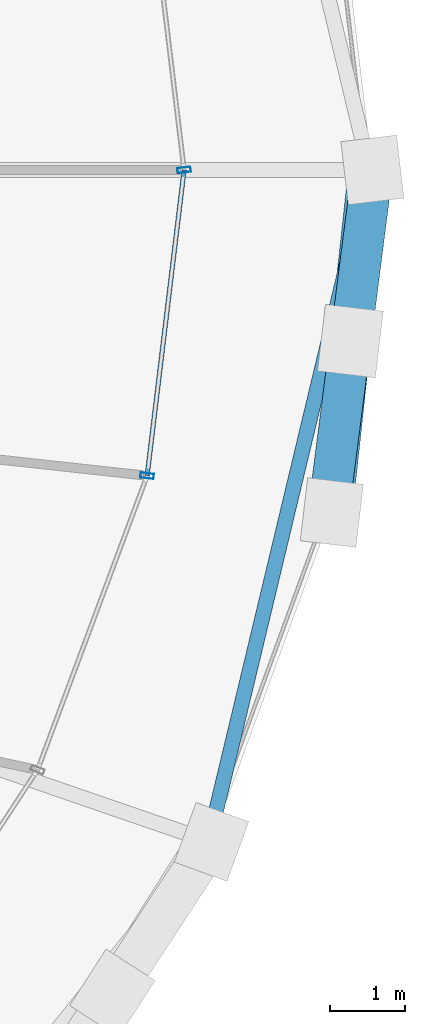
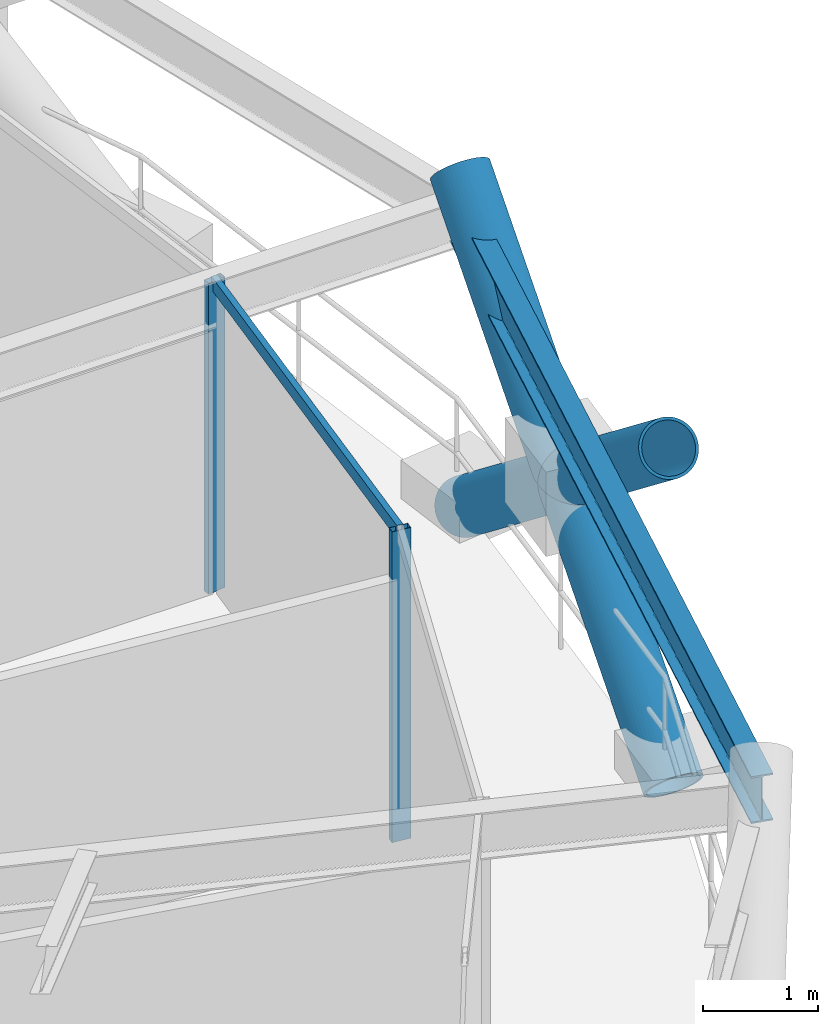
# One storey, part 11 of 20: 6 members, 1 beam, 1 element without a shape of its own.
"""IFC4 building model written with IfcOpenShell, lengths in metres."""

from ifc_helpers import new_model, si_unit, direction, frame, origin, origin_2d, place, context, subcontext, project, spatial, hollow_rectangle, hollow_circle, i_section, extrude, material, layer, layer_set, material_profile, profile_set, type_object, element, aggregate, save


model = new_model("IFC4")

# Units and contexts
model_context = context("Model", 3, precision=1e-05, world=origin(), true_north=direction((0.0, 1.0)))
body_context = subcontext(model_context, "Body", "Model", "MODEL_VIEW")
ifc_project = project(units=[si_unit("LENGTHUNIT", "METRE"), si_unit("AREAUNIT", "SQUARE_METRE"), si_unit("VOLUMEUNIT", "CUBIC_METRE"), si_unit("PLANEANGLEUNIT", "RADIAN"), si_unit("MASSUNIT", "GRAM", prefix="KILO")], contexts=[model_context])

# Site, building, storey
site_placement = place(None, origin())
site = spatial("IfcSite", under=ifc_project, at=site_placement, CompositionType="ELEMENT")
building_placement = place(site_placement, origin())
building = spatial("IfcBuilding", under=site, at=building_placement, Name="Veldorina Hangang Commons", CompositionType="ELEMENT")
storey_placement = place(building_placement, frame((0.0, 0.0, 153.199951171875)))
storey = spatial("IfcBuildingStorey", under=building, at=storey_placement, Name="L39", CompositionType="ELEMENT", Elevation=153.199951171875)

# Beam
ifc_material_1 = material(Name="Steel SM420-TMC", Category="steel")
ifc_material_profile_1 = material_profile(ifc_material_1, i_section(OverallWidth=0.199951171875, OverallDepth=0.5, WebThickness=0.010009765625, FlangeThickness=0.01611328125, FilletRadius=0.01611328125, at=origin_2d()), Name="H-500x200x10x16")
ifc_profile_set_1 = profile_set([ifc_material_profile_1], Name="Steel SM420-TMC")
beam_type = type_object("IfcBeamType", Name="BM-RB500", PredefinedType="BEAM", material=ifc_profile_set_1)
beam_placement = place(storey_placement, frame((58.091552734375, 15.018798828125, 3.10009765625), z_axis=(0.232775980867, 0.972530381392, 0.0), x_axis=(-0.972530381392, 0.232775980867, 0.0)))
element("IfcBeam", 1, at=beam_placement, inside=storey, type_object=beam_type, Name="L39 perimeter hoop ring beam 30", PredefinedType="BEAM", context=body_context, shape_type="SweptSolid", body=[
    extrude(i_section(OverallWidth=0.199951171875, OverallDepth=0.5, WebThickness=0.010009765625, FlangeThickness=0.01611328125, FilletRadius=0.01611328125, at=origin_2d()), origin(), (0.0, 0.0, 1.0), 9.23486328125),
])

# Curtain wall, members
ifc_material_2 = material(Name="Glass Low-E Triple IGU", Category="glass")
ifc_layer = layer(ifc_material_2, 0.179931640625)
ifc_layer_set = layer_set([ifc_layer], Name="Glass Low-E Triple IGU")
curtain_wall_type = type_object("IfcCurtainWallType", Name="CW-SYS-Z2", PredefinedType="NOTDEFINED", material=ifc_layer_set)
curtain_wall_placement = place(storey_placement, origin())
curtain_wall = element("IfcCurtainWall", 2, at=curtain_wall_placement, inside=storey, type_object=curtain_wall_type, Name="L39 unitised curtain wall CW-L39-R2", PredefinedType="NOTDEFINED")
ifc_material_3 = material(Name="Aluminium Anodized AA6063-T6", Category="aluminium")
ifc_material_profile_2 = material_profile(ifc_material_3, hollow_rectangle(XDim=0.070068359375, YDim=0.179931640625, WallThickness=0.00390625, at=origin_2d()), Name="ALU-RHS-180x70x4")
ifc_profile_set_2 = profile_set([ifc_material_profile_2], Name="Aluminium Anodized AA6063-T6")
member_type_1 = type_object("IfcMemberType", Name="CW-MUL-180", PredefinedType="MULLION", material=ifc_profile_set_2)
member_1_placement = place(storey_placement, frame((57.265625, 19.90771484375, 0.0), z_axis=(0.0, 0.0, 1.0), x_axis=(0.120084858017, 0.992763630919, 0.0)))
member_1 = element("IfcMember", 3, at=member_1_placement, type_object=member_type_1, Name="CW-L39-R2 vertical mullion 4", PredefinedType="MULLION", context=body_context, shape_type="SweptSolid", body=[
    extrude(hollow_rectangle(XDim=0.070068359375, YDim=0.179931640625, WallThickness=0.00390625, at=origin_2d()), origin(), (0.0, 0.0, 1.0), 3.31005859375),
])
member_2_placement = place(storey_placement, frame((57.760498046875, 24.0, 0.0), z_axis=(0.0, 0.0, 1.0), x_axis=(-0.120084858017, 0.992763630919, 0.0)))
member_2 = element("IfcMember", 4, at=member_2_placement, type_object=member_type_1, Name="CW-L39-R2 vertical mullion 5", PredefinedType="MULLION", context=body_context, shape_type="SweptSolid", body=[
    extrude(hollow_rectangle(XDim=0.070068359375, YDim=0.179931640625, WallThickness=0.00390625, at=origin_2d()), origin(), (0.0, 0.0, 1.0), 3.31005859375),
])
ifc_material_profile_3 = material_profile(ifc_material_3, hollow_rectangle(XDim=0.06005859375, YDim=0.139892578125, WallThickness=0.00341796875, at=origin_2d()), Name="ALU-RHS-140x60x3.5")
ifc_profile_set_3 = profile_set([ifc_material_profile_3], Name="Aluminium Anodized AA6063-T6")
member_type_2 = type_object("IfcMemberType", Name="CW-TRN-140", PredefinedType="USERDEFINED", material=ifc_profile_set_3)
member_3_placement = place(storey_placement, frame((57.265625, 19.90771484375, 3.27001953125), z_axis=(0.120053664661, 0.992767403575, 0.0), x_axis=(-0.992767403575, 0.120053664661, 0.0)))
member_3 = element("IfcMember", 5, at=member_3_placement, type_object=member_type_2, Name="CW-L39-R2 facet 4 transom 1", ObjectType="TRANSOM", PredefinedType="USERDEFINED", context=body_context, shape_type="SweptSolid", body=[
    extrude(hollow_rectangle(XDim=0.06005859375, YDim=0.139892578125, WallThickness=0.00341796875, at=origin_2d()), origin(), (0.0, 0.0, 1.0), 4.1220703125),
])
aggregate(curtain_wall, [member_1, member_2, member_3])

# Members
ifc_material_profile_4 = material_profile(ifc_material_1, hollow_circle(Radius=0.27490234375, WallThickness=0.028076171875, at=origin_2d()), Name="CHS-550x28")
ifc_profile_set_4 = profile_set([ifc_material_profile_4], Name="Steel SM420-TMC")
member_type_3 = type_object("IfcMemberType", Name="DG-CHS550", PredefinedType="BRACE", material=ifc_profile_set_4)
member_4_placement = place(storey_placement, frame((59.7373046875, 19.416015625, 0.0), z_axis=(0.08505439086, 0.783602179974, 0.615413173514), x_axis=(-0.994160774008, 0.107909014563, 0.0)))
element("IfcMember", 6, at=member_4_placement, inside=storey, type_object=member_type_3, Name="L39 continuous perimeter diagrid brace 31", PredefinedType="BRACE", context=body_context, shape_type="SweptSolid", body=[
    extrude(hollow_circle(Radius=0.27490234375, WallThickness=0.028076171875, at=origin_2d()), origin(), (0.0, 0.0, 1.0), 5.849853515625),
])
member_5_placement = place(storey_placement, frame((60.280517578125, 24.0, 0.0), z_axis=(-0.100537540675, -0.782042014156, 0.615062997595), x_axis=(0.99183749455, -0.127508369942, 0.0)))
element("IfcMember", 7, at=member_5_placement, inside=storey, type_object=member_type_3, Name="L39 split perimeter diagrid lower brace 00", PredefinedType="BRACE", context=body_context, shape_type="SweptSolid", body=[
    extrude(hollow_circle(Radius=0.27490234375, WallThickness=0.028076171875, at=origin_2d()), origin(), (0.0, 0.0, 1.0), 2.9287109375),
])
member_6_placement = place(storey_placement, frame((59.986083984375, 21.709716796875, 1.80126953125), z_axis=(-0.100420023233, -0.782074146027, 0.615041339302), x_axis=(0.991856994237, -0.127356597723, 0.0)))
element("IfcMember", 8, at=member_6_placement, inside=storey, type_object=member_type_3, Name="L39 split perimeter diagrid upper brace 00", PredefinedType="BRACE", context=body_context, shape_type="SweptSolid", body=[
    extrude(hollow_circle(Radius=0.27490234375, WallThickness=0.028076171875, at=origin_2d()), origin(), (0.0, 0.0, 1.0), 2.9248046875),
])

save(model, "model.ifc")
